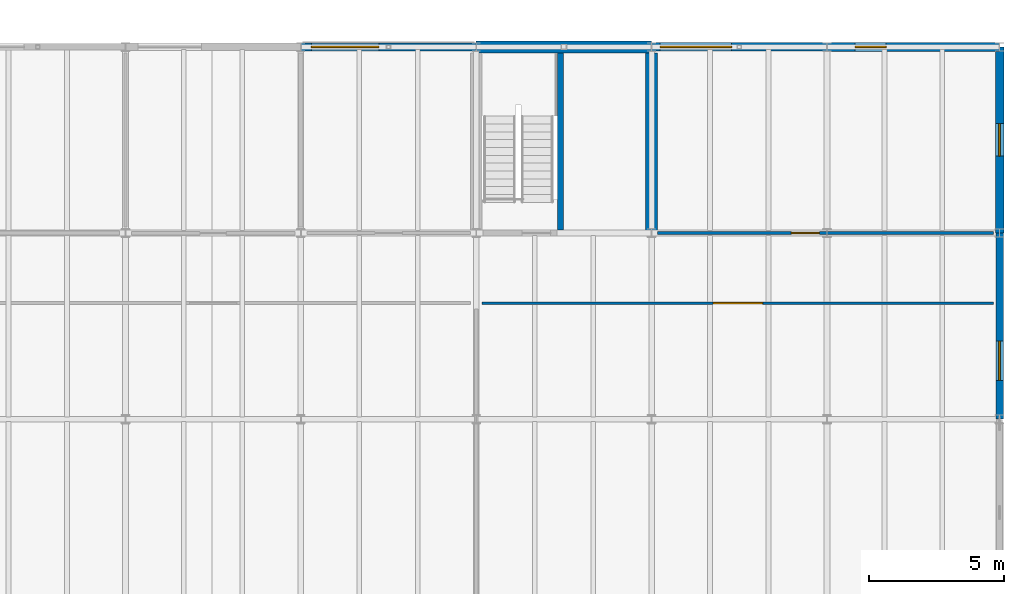
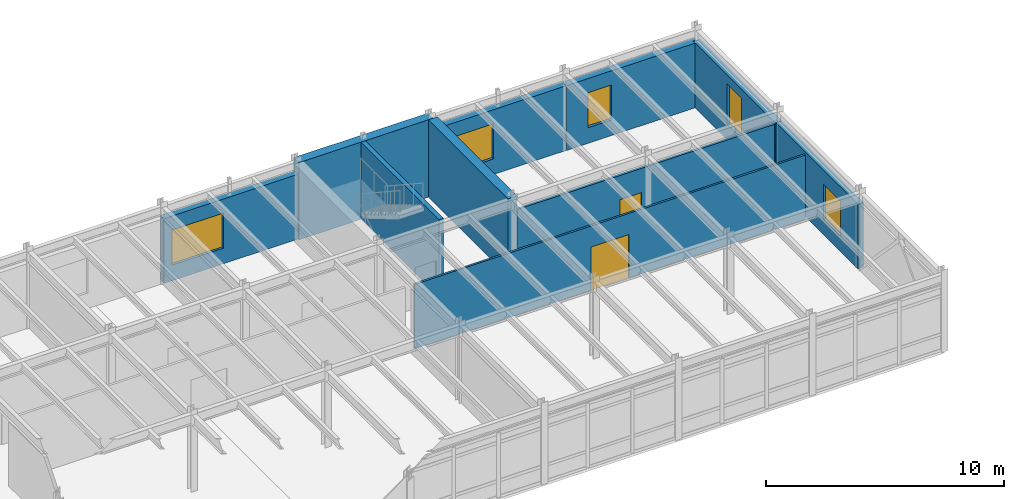
# One storey, part 137 of 144: 10 walls, 5 windows, 2 doors, 7 openings.
"""IFC4 building model written with IfcOpenShell, lengths in metres."""

from ifc_helpers import new_model, si_unit, direction, frame, frame_2d, origin, place, context, subcontext, project, spatial, rectangle, extrude, material, layer, layer_set, type_object, element, fill, save


model = new_model("IFC4")

# Units and contexts
model_context = context("Model", 3, precision=1e-05, world=origin(), true_north=direction((0.0, 1.0)))
body_context = subcontext(model_context, "Body", "Model", "MODEL_VIEW")
ifc_project = project(units=[si_unit("LENGTHUNIT", "METRE"), si_unit("AREAUNIT", "SQUARE_METRE"), si_unit("VOLUMEUNIT", "CUBIC_METRE"), si_unit("PLANEANGLEUNIT", "RADIAN"), si_unit("MASSUNIT", "GRAM", prefix="KILO")], contexts=[model_context])

# Site, building, storey
site_placement = place(None, origin())
site = spatial("IfcSite", under=ifc_project, at=site_placement, CompositionType="ELEMENT")
building_placement = place(site_placement, origin())
building = spatial("IfcBuilding", under=site, at=building_placement, Name="Trelmorton Wharf Fire Station", CompositionType="ELEMENT")
storey_placement = place(building_placement, frame((0.0, 0.0, 5.39990234375)))
storey = spatial("IfcBuildingStorey", under=building, at=storey_placement, Name="L01", CompositionType="ELEMENT", Elevation=5.39990234375)

# Wall, opening, window
ifc_material_1 = material(Name="Precast concrete 45 MPa", Category="concrete")
ifc_layer_1 = layer(ifc_material_1, 0.27001953125)
ifc_layer_set_1 = layer_set([ifc_layer_1], Name="Precast concrete 45 MPa")
wall_type_1 = type_object("IfcWallType", Name="EW_PREC_270", PredefinedType="SOLIDWALL", material=ifc_layer_set_1)
wall_1_placement = place(storey_placement, frame((162.39990234375, 74.094970703125, 0.0), z_axis=(0.0, 0.0, 1.0), x_axis=(0.0, -1.0, 0.0)))
wall_1 = element("IfcWall", 1, at=wall_1_placement, inside=storey, type_object=wall_type_1, Name="EW-V4-L01-0224", PredefinedType="SOLIDWALL", context=body_context, shape_type="SweptSolid", body=[
    extrude(rectangle(XDim=6.889892578125, YDim=0.27001953125, at=frame_2d((3.44482421875, 0.0))), origin(), (0.0, 0.0, 1.0), 3.320068359375),
])
opening_1_placement = place(wall_1_placement, frame((4.00244140625, 0.0, 0.800048828125)))
opening_1 = element("IfcOpeningElement", 2, at=opening_1_placement, cuts=wall_1, Name="Opening W19", PredefinedType="OPENING", context=body_context, shape_type="SweptSolid", body=[
    extrude(rectangle(XDim=1.449951171875, YDim=1.800048828125, at=frame_2d((0.72509765625, 0.89990234375))), frame((0.0, 0.14501953125, 0.0), z_axis=(0.0, -1.0, 0.0), x_axis=(1.0, 0.0, 0.0)), (0.0, 0.0, 1.0), 0.2900390625),
])
ifc_material_2 = material(Name="Tempered low-E double glazing", Category="glass")
window_type_1 = type_object("IfcWindowType", Name="WIN_W19", PartitioningType="SINGLE_PANEL", PredefinedType="WINDOW", material=ifc_material_2)
window_1_placement = place(opening_1_placement, origin())
window_1 = element("IfcWindow", 3, at=window_1_placement, inside=storey, type_object=window_type_1, Name="WN-V4-L01-0126", OverallHeight=1.800048828125, OverallWidth=1.449951171875, PartitioningType="SINGLE_PANEL", PredefinedType="WINDOW", context=body_context, shape_type="SweptSolid", body=[
    extrude(rectangle(XDim=1.449951171875, YDim=1.800048828125, at=frame_2d((0.72509765625, 0.89990234375))), frame((0.0, 0.030029296875, 0.0), z_axis=(0.0, -1.0, 0.0), x_axis=(1.0, 0.0, 0.0)), (0.0, 0.0, 1.0), 0.06005859375),
])
fill(opening_1, window_1)

ifc_layer_2 = layer(ifc_material_1, 0.2900390625)
ifc_layer_set_2 = layer_set([ifc_layer_2], Name="Precast concrete 45 MPa")
wall_type_2 = type_object("IfcWallType", Name="EW_TERR_290", PredefinedType="SOLIDWALL", material=ifc_layer_set_2)
wall_2_placement = place(storey_placement, frame((136.5048828125, 81.0, 0.0), z_axis=(0.0, 0.0, 1.0), x_axis=(1.0, 0.0, 0.0)))
wall_2 = element("IfcWall", 4, at=wall_2_placement, inside=storey, type_object=wall_type_2, Name="EW-V4-L01-0219", PredefinedType="SOLIDWALL", context=body_context, shape_type="SweptSolid", body=[
    extrude(rectangle(XDim=6.490234375, YDim=0.2900390625, at=frame_2d((3.2451171875, 0.0))), origin(), (0.0, 0.0, 1.0), 3.320068359375),
])
opening_2_placement = place(wall_2_placement, frame((0.387451171875, 0.0, 0.800048828125)))
opening_2 = element("IfcOpeningElement", 5, at=opening_2_placement, cuts=wall_2, Name="Opening W14", PredefinedType="OPENING", context=body_context, shape_type="SweptSolid", body=[
    extrude(rectangle(XDim=2.5, YDim=1.800048828125, at=frame_2d((1.25, 0.89990234375))), frame((0.0, 0.155029296875, 0.0), z_axis=(0.0, -1.0, 0.0), x_axis=(1.0, 0.0, 0.0)), (0.0, 0.0, 1.0), 0.31005859375),
])
window_type_2 = type_object("IfcWindowType", Name="WIN_W14", PartitioningType="TRIPLE_PANEL_VERTICAL", PredefinedType="WINDOW", material=ifc_material_2)
window_2_placement = place(opening_2_placement, origin())
window_2 = element("IfcWindow", 6, at=window_2_placement, inside=storey, type_object=window_type_2, Name="WN-V4-L01-0122", OverallHeight=1.800048828125, OverallWidth=2.5, PartitioningType="TRIPLE_PANEL_VERTICAL", PredefinedType="WINDOW", context=body_context, shape_type="SweptSolid", body=[
    extrude(rectangle(XDim=2.5, YDim=1.800048828125, at=frame_2d((1.25, 0.89990234375))), frame((0.0, 0.030029296875, 0.0), z_axis=(0.0, -1.0, 0.0), x_axis=(1.0, 0.0, 0.0)), (0.0, 0.0, 1.0), 0.06005859375),
])
fill(opening_2, window_2)

ifc_layer_3 = layer(ifc_material_1, 0.31005859375)
ifc_layer_set_3 = layer_set([ifc_layer_3], Name="Precast concrete 45 MPa")
wall_type_3 = type_object("IfcWallType", Name="EW_TERR_310", PredefinedType="SOLIDWALL", material=ifc_layer_set_3)
wall_3_placement = place(storey_placement, frame((149.5048828125, 81.0, 0.0), z_axis=(0.0, 0.0, 1.0), x_axis=(1.0, 0.0, 0.0)))
wall_3 = element("IfcWall", 7, at=wall_3_placement, inside=storey, type_object=wall_type_3, Name="EW-V4-L01-0220", PredefinedType="SOLIDWALL", context=body_context, shape_type="SweptSolid", body=[
    extrude(rectangle(XDim=6.490234375, YDim=0.31005859375, at=frame_2d((3.2451171875, 0.0))), origin(), (0.0, 0.0, 1.0), 3.320068359375),
])
opening_3_placement = place(wall_3_placement, frame((0.3125, 0.0, 0.800048828125)))
opening_3 = element("IfcOpeningElement", 8, at=opening_3_placement, cuts=wall_3, Name="Opening W15", PredefinedType="OPENING", context=body_context, shape_type="SweptSolid", body=[
    extrude(rectangle(XDim=2.64990234375, YDim=1.800048828125, at=frame_2d((1.324951171875, 0.89990234375))), frame((0.0, 0.1650390625, 0.0), z_axis=(0.0, -1.0, 0.0), x_axis=(1.0, 0.0, 0.0)), (0.0, 0.0, 1.0), 0.330078125),
])
window_type_3 = type_object("IfcWindowType", Name="WIN_W15", PartitioningType="TRIPLE_PANEL_VERTICAL", PredefinedType="WINDOW", material=ifc_material_2)
window_3_placement = place(opening_3_placement, origin())
window_3 = element("IfcWindow", 9, at=window_3_placement, inside=storey, type_object=window_type_3, Name="WN-V4-L01-0123", OverallHeight=1.800048828125, OverallWidth=2.64990234375, PartitioningType="TRIPLE_PANEL_VERTICAL", PredefinedType="WINDOW", context=body_context, shape_type="SweptSolid", body=[
    extrude(rectangle(XDim=2.64990234375, YDim=1.800048828125, at=frame_2d((1.324951171875, 0.89990234375))), frame((0.0, 0.030029296875, 0.0), z_axis=(0.0, -1.0, 0.0), x_axis=(1.0, 0.0, 0.0)), (0.0, 0.0, 1.0), 0.06005859375),
])
fill(opening_3, window_3)

wall_4_placement = place(storey_placement, frame((162.39990234375, 80.9951171875, 0.0), z_axis=(0.0, 0.0, 1.0), x_axis=(0.0, -1.0, 0.0)))
wall_4 = element("IfcWall", 10, at=wall_4_placement, inside=storey, type_object=wall_type_3, Name="EW-V4-L01-0226", PredefinedType="SOLIDWALL", context=body_context, shape_type="SweptSolid", body=[
    extrude(rectangle(XDim=6.89013671875, YDim=0.31005859375, at=frame_2d((3.445068359375, 0.0))), origin(), (0.0, 0.0, 1.0), 3.320068359375),
])
opening_4_placement = place(wall_4_placement, frame((2.844970703125, 0.0, 0.800048828125)))
opening_4 = element("IfcOpeningElement", 11, at=opening_4_placement, cuts=wall_4, Name="Opening W21", PredefinedType="OPENING", context=body_context, shape_type="SweptSolid", body=[
    extrude(rectangle(XDim=1.199951171875, YDim=2.050048828125, at=frame_2d((0.60009765625, 1.02490234375))), frame((0.0, 0.1650390625, 0.0), z_axis=(0.0, -1.0, 0.0), x_axis=(1.0, 0.0, 0.0)), (0.0, 0.0, 1.0), 0.330078125),
])
window_type_4 = type_object("IfcWindowType", Name="WIN_W21", PartitioningType="SINGLE_PANEL", PredefinedType="WINDOW", material=ifc_material_2)
window_4_placement = place(opening_4_placement, origin())
window_4 = element("IfcWindow", 12, at=window_4_placement, inside=storey, type_object=window_type_4, Name="WN-V4-L01-0128", OverallHeight=2.050048828125, OverallWidth=1.199951171875, PartitioningType="SINGLE_PANEL", PredefinedType="WINDOW", context=body_context, shape_type="SweptSolid", body=[
    extrude(rectangle(XDim=1.199951171875, YDim=2.050048828125, at=frame_2d((0.60009765625, 1.02490234375))), frame((0.0, 0.030029296875, 0.0), z_axis=(0.0, -1.0, 0.0), x_axis=(1.0, 0.0, 0.0)), (0.0, 0.0, 1.0), 0.06005859375),
])
fill(opening_4, window_4)

ifc_layer_4 = layer(ifc_material_1, 0.330078125)
ifc_layer_set_4 = layer_set([ifc_layer_4], Name="Precast concrete 45 MPa")
wall_type_4 = type_object("IfcWallType", Name="EW_TERR_330", PredefinedType="SOLIDWALL", material=ifc_layer_set_4)
wall_5_placement = place(storey_placement, frame((156.0048828125, 81.0, 0.0), z_axis=(0.0, 0.0, 1.0), x_axis=(1.0, 0.0, 0.0)))
wall_5 = element("IfcWall", 13, at=wall_5_placement, inside=storey, type_object=wall_type_4, Name="EW-V4-L01-0221", PredefinedType="SOLIDWALL", context=body_context, shape_type="SweptSolid", body=[
    extrude(rectangle(XDim=6.39013671875, YDim=0.330078125, at=frame_2d((3.195068359375, 0.0))), origin(), (0.0, 0.0, 1.0), 3.320068359375),
])
opening_5_placement = place(wall_5_placement, frame((1.03759765625, 0.0, 0.800048828125)))
opening_5 = element("IfcOpeningElement", 14, at=opening_5_placement, cuts=wall_5, Name="Opening W17", PredefinedType="OPENING", context=body_context, shape_type="SweptSolid", body=[
    extrude(rectangle(XDim=1.14990234375, YDim=1.800048828125, at=frame_2d((0.574951171875, 0.89990234375))), frame((0.0, 0.175048828125, 0.0), z_axis=(0.0, -1.0, 0.0), x_axis=(1.0, 0.0, 0.0)), (0.0, 0.0, 1.0), 0.35009765625),
])
window_type_5 = type_object("IfcWindowType", Name="WIN_W17", PartitioningType="SINGLE_PANEL", PredefinedType="WINDOW", material=ifc_material_2)
window_5_placement = place(opening_5_placement, origin())
window_5 = element("IfcWindow", 15, at=window_5_placement, inside=storey, type_object=window_type_5, Name="WN-V4-L01-0124", OverallHeight=1.800048828125, OverallWidth=1.14990234375, PartitioningType="SINGLE_PANEL", PredefinedType="WINDOW", context=body_context, shape_type="SweptSolid", body=[
    extrude(rectangle(XDim=1.14990234375, YDim=1.800048828125, at=frame_2d((0.574951171875, 0.89990234375))), frame((0.0, 0.030029296875, 0.0), z_axis=(0.0, -1.0, 0.0), x_axis=(1.0, 0.0, 0.0)), (0.0, 0.0, 1.0), 0.06005859375),
])
fill(opening_5, window_5)

# Wall
ifc_material_3 = material(Name="Concrete 40 MPa", Category="concrete")
ifc_layer_5 = layer(ifc_material_3, 0.219970703125)
ifc_layer_set_5 = layer_set([ifc_layer_5], Name="Concrete 40 MPa")
wall_type_5 = type_object("IfcWallType", Name="IW_CORE_220", PredefinedType="SOLIDWALL", material=ifc_layer_set_5)
wall_6_placement = place(storey_placement, frame((146.1201171875, 74.219970703125, 0.0), z_axis=(0.0, 0.0, 1.0), x_axis=(0.0, 1.0, 0.0)))
element("IfcWall", 16, at=wall_6_placement, inside=storey, type_object=wall_type_5, Name="IW-C8-DIV-L01", PredefinedType="SOLIDWALL", context=body_context, shape_type="SweptSolid", body=[
    extrude(rectangle(XDim=6.554931640625, YDim=0.219970703125, at=frame_2d((3.27734375, 0.0))), origin(), (0.0, 0.0, 1.0), 3.960205078125),
])

# Wall, opening, door
ifc_material_4 = material(Name="Gypsum plasterboard partition")
ifc_layer_6 = layer(ifc_material_4, 0.10009765625)
ifc_layer_set_6 = layer_set([ifc_layer_6], Name="Gypsum plasterboard partition")
wall_type_6 = type_object("IfcWallType", Name="IW_PART_100", PredefinedType="PARTITIONING", material=ifc_layer_set_6)
wall_7_placement = place(storey_placement, frame((143.219970703125, 71.5, 0.0), z_axis=(0.0, 0.0, 1.0), x_axis=(1.0, 0.0, 0.0)))
wall_7 = element("IfcWall", 17, at=wall_7_placement, inside=storey, type_object=wall_type_6, Name="IW-L01-0119", PredefinedType="PARTITIONING", context=body_context, shape_type="SweptSolid", body=[
    extrude(rectangle(XDim=18.9599609375, YDim=0.10009765625, at=frame_2d((9.47998046875, 0.0))), origin(), (0.0, 0.0, 1.0), 3.300048828125),
])
opening_6_placement = place(wall_7_placement, frame((8.56005859375, 0.0, 0.0)))
opening_6 = element("IfcOpeningElement", 18, at=opening_6_placement, cuts=wall_7, Name="Opening D-080", PredefinedType="OPENING", context=body_context, shape_type="SweptSolid", body=[
    extrude(rectangle(XDim=1.840087890625, YDim=2.219970703125, at=frame_2d((0.919921875, 1.10986328125))), frame((0.0, 0.06005859375, 0.0), z_axis=(0.0, -1.0, 0.0), x_axis=(1.0, 0.0, 0.0)), (0.0, 0.0, 1.0), 0.1201171875),
])
ifc_material_5 = material(Name="Acoustic timber panelling", Category="wood")
door_type_1 = type_object("IfcDoorType", Name="DR_INT_184", OperationType="DOUBLE_DOOR_SINGLE_SWING", PredefinedType="DOOR", material=ifc_material_5)
door_1_placement = place(opening_6_placement, origin())
door_1 = element("IfcDoor", 19, at=door_1_placement, inside=storey, type_object=door_type_1, Name="Interior Door D-080", OperationType="DOUBLE_DOOR_SINGLE_SWING", OverallHeight=2.219970703125, OverallWidth=1.840087890625, PredefinedType="DOOR", context=body_context, shape_type="SweptSolid", body=[
    extrude(rectangle(XDim=1.840087890625, YDim=2.219970703125, at=frame_2d((0.919921875, 1.10986328125))), frame((0.0, 0.02490234375, 0.0), z_axis=(0.0, -1.0, 0.0), x_axis=(1.0, 0.0, 0.0)), (0.0, 0.0, 1.0), 0.050048828125),
])
fill(opening_6, door_1)

ifc_layer_7 = layer(ifc_material_4, 0.110107421875)
ifc_layer_set_7 = layer_set([ifc_layer_7], Name="Gypsum plasterboard partition")
wall_type_7 = type_object("IfcWallType", Name="IW_PART_110", PredefinedType="PARTITIONING", material=ifc_layer_set_7)
wall_8_placement = place(storey_placement, frame((149.719970703125, 74.10009765625, 0.0), z_axis=(0.0, 0.0, 1.0), x_axis=(1.0, 0.0, 0.0)))
wall_8 = element("IfcWall", 20, at=wall_8_placement, inside=storey, type_object=wall_type_7, Name="IW-L01-0125", PredefinedType="PARTITIONING", context=body_context, shape_type="SweptSolid", body=[
    extrude(rectangle(XDim=12.4599609375, YDim=0.110107421875, at=frame_2d((6.22998046875, 0.0))), origin(), (0.0, 0.0, 1.0), 3.300048828125),
])
opening_7_placement = place(wall_8_placement, frame((4.965087890625, 0.0, 0.0)))
opening_7 = element("IfcOpeningElement", 21, at=opening_7_placement, cuts=wall_8, Name="Opening D-086", PredefinedType="OPENING", context=body_context, shape_type="SweptSolid", body=[
    extrude(rectangle(XDim=1.030029296875, YDim=2.06005859375, at=frame_2d((0.51513671875, 1.030029296875))), frame((0.0, 0.06494140625, 0.0), z_axis=(0.0, -1.0, 0.0), x_axis=(1.0, 0.0, 0.0)), (0.0, 0.0, 1.0), 0.130126953125),
])
door_type_2 = type_object("IfcDoorType", Name="DR_INT_103", OperationType="NOTDEFINED", PredefinedType="DOOR", material=ifc_material_5)
door_2_placement = place(opening_7_placement, origin())
door_2 = element("IfcDoor", 22, at=door_2_placement, inside=storey, type_object=door_type_2, Name="Interior Door D-086", OperationType="SINGLE_SWING_LEFT", OverallHeight=2.06005859375, OverallWidth=1.030029296875, PredefinedType="DOOR", context=body_context, shape_type="SweptSolid", body=[
    extrude(rectangle(XDim=1.030029296875, YDim=2.06005859375, at=frame_2d((0.51513671875, 1.030029296875))), frame((0.0, 0.02490234375, 0.0), z_axis=(0.0, -1.0, 0.0), x_axis=(1.0, 0.0, 0.0)), (0.0, 0.0, 1.0), 0.050048828125),
])
fill(opening_7, door_2)

# Walls
ifc_material_6 = material(Name="Concrete 50 MPa", Category="concrete")
ifc_layer_8 = layer(ifc_material_6, 0.43994140625)
ifc_layer_set_8 = layer_set([ifc_layer_8], Name="Concrete 50 MPa")
wall_type_8 = type_object("IfcWallType", Name="WL_CORE_440", PredefinedType="SHEAR", material=ifc_layer_set_8)
wall_9_placement = place(storey_placement, frame((143.0, 81.0, 0.0), z_axis=(0.0, 0.0, 1.0), x_axis=(1.0, 0.0, 0.0)))
element("IfcWall", 23, at=wall_9_placement, inside=storey, type_object=wall_type_8, Name="WL-SW-C8-L01-142", PredefinedType="SHEAR", context=body_context, shape_type="SweptSolid", body=[
    extrude(rectangle(XDim=6.5, YDim=0.43994140625, at=frame_2d((3.25, 0.0))), origin(), (0.0, 0.0, 1.0), 3.960205078125),
])
wall_10_placement = place(storey_placement, frame((149.5, 74.10009765625, 0.0), z_axis=(0.0, 0.0, 1.0), x_axis=(0.0, 1.0, 0.0)))
element("IfcWall", 24, at=wall_10_placement, inside=storey, type_object=wall_type_8, Name="WL-SW-C8-L01-144", PredefinedType="SHEAR", context=body_context, shape_type="SweptSolid", body=[
    extrude(rectangle(XDim=6.679931640625, YDim=0.43994140625, at=frame_2d((3.33984375, 0.0))), origin(), (0.0, 0.0, 1.0), 3.960205078125),
])

save(model, "model.ifc")
